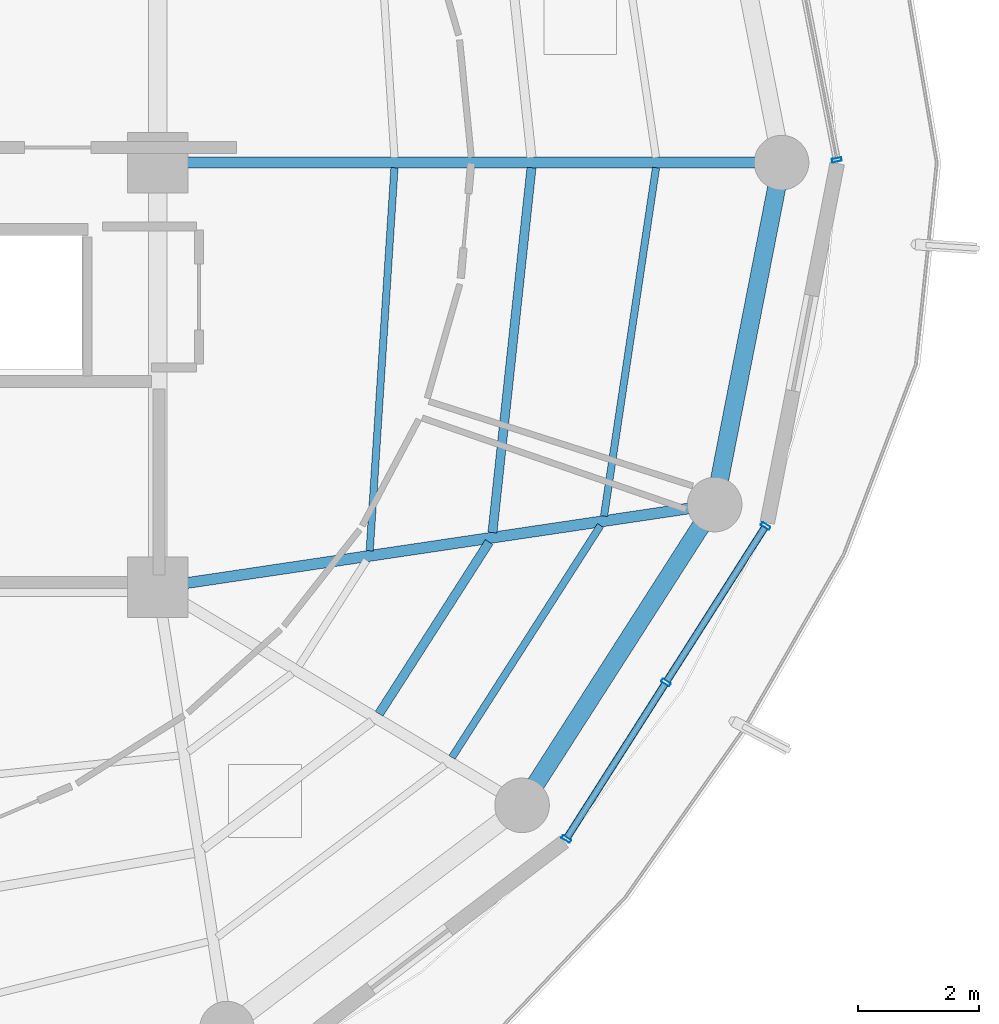
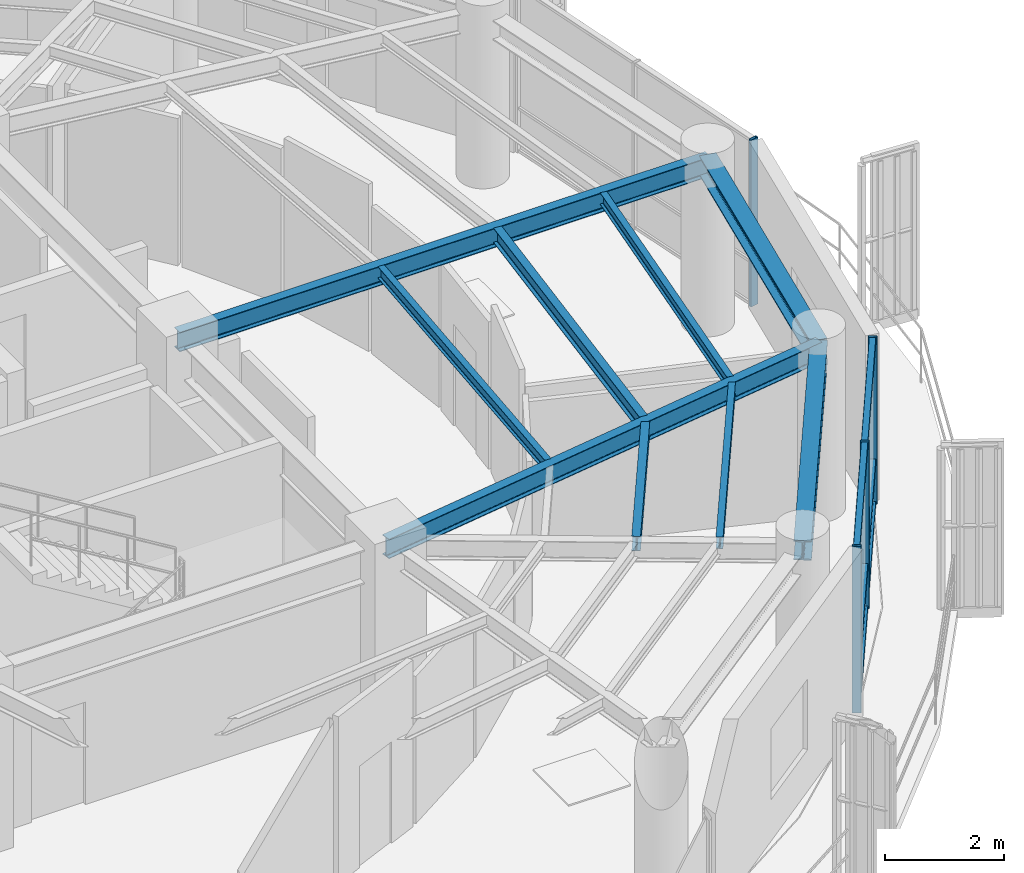
# One storey, part 10 of 23: 10 members, 9 beams, 2 elements without a shape of their own.
"""IFC4 building model written with IfcOpenShell, lengths in metres."""

from ifc_helpers import new_model, si_unit, direction, frame, origin, origin_2d, place, context, subcontext, project, spatial, hollow_rectangle, i_section, extrude, material, layer, layer_set, material_profile, profile_set, type_object, element, aggregate, save


model = new_model("IFC4")

# Units and contexts
model_context = context("Model", 3, precision=1e-05, world=origin(), true_north=direction((0.0, 1.0)))
body_context = subcontext(model_context, "Body", "Model", "MODEL_VIEW")
ifc_project = project(units=[si_unit("LENGTHUNIT", "METRE"), si_unit("AREAUNIT", "SQUARE_METRE"), si_unit("VOLUMEUNIT", "CUBIC_METRE"), si_unit("PLANEANGLEUNIT", "RADIAN"), si_unit("MASSUNIT", "GRAM", prefix="KILO")], contexts=[model_context])

# Site, building, storey
site_placement = place(None, origin())
site = spatial("IfcSite", under=ifc_project, at=site_placement, CompositionType="ELEMENT")
building_placement = place(site_placement, origin())
building = spatial("IfcBuilding", under=site, at=building_placement, Name="Kelanora Arch Commons", CompositionType="ELEMENT")
storey_placement = place(building_placement, frame((0.0, 0.0, 289.949951171875)))
storey = spatial("IfcBuildingStorey", under=building, at=storey_placement, Name="L74", CompositionType="ELEMENT", Elevation=289.949951171875)

# Beams
ifc_material_1 = material(Name="Steel S355", Category="steel")
ifc_material_profile_1 = material_profile(ifc_material_1, i_section(OverallWidth=0.14990234375, OverallDepth=0.300048828125, WebThickness=0.007080078125, FlangeThickness=0.0107421875, FilletRadius=0.014892578125, at=origin_2d()), Name="IPE300")
ifc_profile_set_1 = profile_set([ifc_material_profile_1], Name="Steel S355")
beam_type_1 = type_object("IfcBeamType", Name="BM-JST-01", PredefinedType="JOIST", material=ifc_profile_set_1)
beam_1_placement = place(storey_placement, frame((85.647705078125, 48.915771484375, 3.280029296875), z_axis=(0.539321586177, 0.842099891155, 0.0), x_axis=(-0.842099891155, 0.539321586177, 0.0)))
element("IfcBeam", 1, at=beam_1_placement, inside=storey, type_object=beam_type_1, Name="Secondary Chord Joist BJB-32 L74", PredefinedType="JOIST", context=body_context, shape_type="SweptSolid", body=[
    extrude(i_section(OverallWidth=0.14990234375, OverallDepth=0.300048828125, WebThickness=0.007080078125, FlangeThickness=0.0107421875, FilletRadius=0.014892578125, at=origin_2d()), origin(), (0.0, 0.0, 1.0), 3.361572265625),
])
beam_2_placement = place(storey_placement, frame((87.515625, 51.902587890625, 3.280029296875), z_axis=(0.106380594087, 0.994325484538, 0.0), x_axis=(-0.994325484538, 0.106380594087, 0.0)))
element("IfcBeam", 2, at=beam_2_placement, inside=storey, type_object=beam_type_1, Name="Secondary Chord Joist BJB-34 L74", PredefinedType="JOIST", context=body_context, shape_type="SweptSolid", body=[
    extrude(i_section(OverallWidth=0.14990234375, OverallDepth=0.300048828125, WebThickness=0.007080078125, FlangeThickness=0.0107421875, FilletRadius=0.014892578125, at=origin_2d()), origin(), (0.0, 0.0, 1.0), 6.04736328125),
])
ifc_material_profile_2 = material_profile(ifc_material_1, i_section(OverallWidth=0.1201171875, OverallDepth=0.239990234375, WebThickness=0.006103515625, FlangeThickness=0.009765625, FilletRadius=0.014892578125, at=origin_2d()), Name="IPE240")
ifc_profile_set_2 = profile_set([ifc_material_profile_2], Name="Steel S355")
beam_type_2 = type_object("IfcBeamType", Name="BM-JST-02", PredefinedType="JOIST", material=ifc_profile_set_2)
beam_3_placement = place(storey_placement, frame((86.848388671875, 48.197021484375, 3.31005859375), z_axis=(0.539288735289, 0.842120929552, 0.0), x_axis=(-0.842120929552, 0.539288735289, 0.0)))
element("IfcBeam", 3, at=beam_3_placement, inside=storey, type_object=beam_type_2, Name="Secondary Chord Joist BJC-32 L74", PredefinedType="JOIST", context=body_context, shape_type="SweptSolid", body=[
    extrude(i_section(OverallWidth=0.1201171875, OverallDepth=0.239990234375, WebThickness=0.006103515625, FlangeThickness=0.009765625, FilletRadius=0.014892578125, at=origin_2d()), origin(), (0.0, 0.0, 1.0), 4.538818359375),
])
beam_4_placement = place(storey_placement, frame((85.492919921875, 51.60302734375, 3.31005859375), z_axis=(0.064495107978, 0.99791802321, 0.0), x_axis=(-0.99791802321, 0.064495107978, 0.0)))
element("IfcBeam", 4, at=beam_4_placement, inside=storey, type_object=beam_type_2, Name="Secondary Chord Joist BJA-34 L74", PredefinedType="JOIST", context=body_context, shape_type="SweptSolid", body=[
    extrude(i_section(OverallWidth=0.1201171875, OverallDepth=0.239990234375, WebThickness=0.006103515625, FlangeThickness=0.009765625, FilletRadius=0.014892578125, at=origin_2d()), origin(), (0.0, 0.0, 1.0), 6.325439453125),
])
beam_5_placement = place(storey_placement, frame((89.3544921875, 52.1748046875, 3.31005859375), z_axis=(0.14762470282, 0.989043450571, 0.0), x_axis=(-0.989043450571, 0.14762470282, 0.0)))
element("IfcBeam", 5, at=beam_5_placement, inside=storey, type_object=beam_type_2, Name="Secondary Chord Joist BJC-34 L74", PredefinedType="JOIST", context=body_context, shape_type="SweptSolid", body=[
    extrude(i_section(OverallWidth=0.1201171875, OverallDepth=0.239990234375, WebThickness=0.006103515625, FlangeThickness=0.009765625, FilletRadius=0.014892578125, at=origin_2d()), origin(), (0.0, 0.0, 1.0), 5.804931640625),
])
ifc_material_profile_3 = material_profile(ifc_material_1, i_section(OverallWidth=0.179931640625, OverallDepth=0.39990234375, WebThickness=0.008544921875, FlangeThickness=0.013427734375, FilletRadius=0.02099609375, at=origin_2d()), Name="IPE400")
ifc_profile_set_3 = profile_set([ifc_material_profile_3], Name="Steel S355")
beam_type_3 = type_object("IfcBeamType", Name="BM-RAD-Z5", PredefinedType="BEAM", material=ifc_profile_set_3)
beam_6_placement = place(storey_placement, frame((82.0, 58.0, 3.22998046875), z_axis=(1.0, 0.0, 0.0), x_axis=(0.0, 1.0, 0.0)))
element("IfcBeam", 6, at=beam_6_placement, inside=storey, type_object=beam_type_3, Name="Radial Floor Girder BR-00 L74", PredefinedType="BEAM", context=body_context, shape_type="SweptSolid", body=[
    extrude(i_section(OverallWidth=0.179931640625, OverallDepth=0.39990234375, WebThickness=0.008544921875, FlangeThickness=0.013427734375, FilletRadius=0.02099609375, at=origin_2d()), origin(), (0.0, 0.0, 1.0), 10.280029296875),
])
beam_7_placement = place(storey_placement, frame((82.0, 51.0, 3.22998046875), z_axis=(0.989142485564, 0.146959665395, 0.0), x_axis=(-0.146959665395, 0.989142485564, 0.0)))
element("IfcBeam", 7, at=beam_7_placement, inside=storey, type_object=beam_type_3, Name="Radial Floor Girder BR-34 L74", PredefinedType="BEAM", context=body_context, shape_type="SweptSolid", body=[
    extrude(i_section(OverallWidth=0.179931640625, OverallDepth=0.39990234375, WebThickness=0.008544921875, FlangeThickness=0.013427734375, FilletRadius=0.02099609375, at=origin_2d()), origin(), (0.0, 0.0, 1.0), 9.2783203125),
])
ifc_material_profile_4 = material_profile(ifc_material_1, i_section(OverallWidth=0.300048828125, OverallDepth=0.39990234375, WebThickness=0.013427734375, FlangeThickness=0.02392578125, FilletRadius=0.027099609375, at=origin_2d()), Name="HEB400")
ifc_profile_set_4 = profile_set([ifc_material_profile_4], Name="Steel S355")
beam_type_4 = type_object("IfcBeamType", Name="BM-SPN-Z4", PredefinedType="SPANDREL", material=ifc_profile_set_4)
beam_8_placement = place(storey_placement, frame((88.00341796875, 47.406982421875, 3.22998046875), z_axis=(0.539280851353, 0.842125978322, 0.0), x_axis=(-0.842125978322, 0.539280851353, 0.0)))
element("IfcBeam", 8, at=beam_8_placement, inside=storey, type_object=beam_type_4, Name="Perimeter Spandrel Beam BS-32 L74", PredefinedType="SPANDREL", context=body_context, shape_type="SweptSolid", body=[
    extrude(i_section(OverallWidth=0.300048828125, OverallDepth=0.39990234375, WebThickness=0.013427734375, FlangeThickness=0.02392578125, FilletRadius=0.027099609375, at=origin_2d()), origin(), (0.0, 0.0, 1.0), 5.8857421875),
])
beam_9_placement = place(storey_placement, frame((91.177490234375, 52.363525390625, 3.22998046875), z_axis=(0.191969774604, 0.981400838413, 0.0), x_axis=(-0.981400838413, 0.191969774604, 0.0)))
element("IfcBeam", 9, at=beam_9_placement, inside=storey, type_object=beam_type_4, Name="Perimeter Spandrel Beam BS-34 L74", PredefinedType="SPANDREL", context=body_context, shape_type="SweptSolid", body=[
    extrude(i_section(OverallWidth=0.300048828125, OverallDepth=0.39990234375, WebThickness=0.013427734375, FlangeThickness=0.02392578125, FilletRadius=0.027099609375, at=origin_2d()), origin(), (0.0, 0.0, 1.0), 5.743408203125),
])

# Curtain wall, member
ifc_material_2 = material(Name="Terracotta ceramic-fritted low-E glass and aluminium", Category="masonry")
ifc_layer = layer(ifc_material_2, 0.18994140625)
ifc_layer_set = layer_set([ifc_layer], Name="Terracotta ceramic-fritted low-E glass and aluminium")
curtain_wall_type = type_object("IfcCurtainWallType", Name="CW-SYS-03", PredefinedType="NOTDEFINED", material=ifc_layer_set)
curtain_wall_1_placement = place(storey_placement, origin())
curtain_wall_1 = element("IfcCurtainWall", 10, at=curtain_wall_1_placement, inside=storey, type_object=curtain_wall_type, Name="Unitised Curtain Wall L74-B00", PredefinedType="NOTDEFINED")
ifc_material_3 = material(Name="Powder-coated aluminium terracotta", Category="masonry")
ifc_material_profile_5 = material_profile(ifc_material_3, hollow_rectangle(XDim=0.159912109375, YDim=0.06005859375, WallThickness=0.0048828125, InnerFilletRadius=0.0048828125, OuterFilletRadius=0.010009765625, at=origin_2d()), Name="CWM160x60")
ifc_profile_set_5 = profile_set([ifc_material_profile_5], Name="Powder-coated aluminium terracotta")
member_type_1 = type_object("IfcMemberType", Name="CWM-STD", PredefinedType="MULLION", material=ifc_profile_set_5)
member_1_placement = place(storey_placement, frame((93.19140625, 58.044189453125, 0.0), z_axis=(0.0, 0.0, 1.0), x_axis=(-0.981595542501, -0.190971701941, 0.0)))
member_1 = element("IfcMember", 11, at=member_1_placement, type_object=member_type_1, Name="CW-03 mullion 1", PredefinedType="MULLION", context=body_context, shape_type="SweptSolid", body=[
    extrude(hollow_rectangle(XDim=0.159912109375, YDim=0.06005859375, WallThickness=0.0048828125, InnerFilletRadius=0.0048828125, OuterFilletRadius=0.010009765625, at=origin_2d()), origin(), (0.0, 0.0, 1.0), 3.4150390625),
])
aggregate(curtain_wall_1, [member_1])

# Curtain wall, members
curtain_wall_2_placement = place(storey_placement, origin())
curtain_wall_2 = element("IfcCurtainWall", 12, at=curtain_wall_2_placement, inside=storey, type_object=curtain_wall_type, Name="Unitised Curtain Wall L74-B16", PredefinedType="NOTDEFINED")
member_2_placement = place(storey_placement, frame((88.732421875, 46.853515625, 0.0), z_axis=(0.0, 0.0, 1.0), x_axis=(-0.843391314545, 0.537299814397, 0.0)))
member_2 = element("IfcMember", 13, at=member_2_placement, type_object=member_type_1, Name="CW-03 mullion 1", PredefinedType="MULLION", context=body_context, shape_type="SweptSolid", body=[
    extrude(hollow_rectangle(XDim=0.159912109375, YDim=0.06005859375, WallThickness=0.0048828125, InnerFilletRadius=0.0048828125, OuterFilletRadius=0.010009765625, at=origin_2d()), origin(), (0.0, 0.0, 1.0), 3.4150390625),
])
member_3_placement = place(storey_placement, frame((90.375, 49.43212890625, 0.0), z_axis=(0.0, 0.0, 1.0), x_axis=(-0.843391314545, 0.537299814397, 0.0)))
member_3 = element("IfcMember", 14, at=member_3_placement, type_object=member_type_1, Name="CW-03 mullion 2", PredefinedType="MULLION", context=body_context, shape_type="SweptSolid", body=[
    extrude(hollow_rectangle(XDim=0.159912109375, YDim=0.06005859375, WallThickness=0.0048828125, InnerFilletRadius=0.0048828125, OuterFilletRadius=0.010009765625, at=origin_2d()), origin(), (0.0, 0.0, 1.0), 3.4150390625),
])
member_4_placement = place(storey_placement, frame((92.017822265625, 52.0107421875, 0.0), z_axis=(0.0, 0.0, 1.0), x_axis=(-0.843391314545, 0.537299814397, 0.0)))
member_4 = element("IfcMember", 15, at=member_4_placement, type_object=member_type_1, Name="CW-03 mullion 3", PredefinedType="MULLION", context=body_context, shape_type="SweptSolid", body=[
    extrude(hollow_rectangle(XDim=0.159912109375, YDim=0.06005859375, WallThickness=0.0048828125, InnerFilletRadius=0.0048828125, OuterFilletRadius=0.010009765625, at=origin_2d()), origin(), (0.0, 0.0, 1.0), 3.4150390625),
])
ifc_material_profile_6 = material_profile(ifc_material_3, hollow_rectangle(XDim=0.1201171875, YDim=0.06005859375, WallThickness=0.0048828125, InnerFilletRadius=0.0048828125, OuterFilletRadius=0.010009765625, at=origin_2d()), Name="CWT120x60")
ifc_profile_set_6 = profile_set([ifc_material_profile_6], Name="Powder-coated aluminium terracotta")
member_type_2 = type_object("IfcMemberType", Name="CWT-STD", PredefinedType="USERDEFINED", material=ifc_profile_set_6)
member_5_placement = place(storey_placement, frame((88.74853515625, 46.87890625, 0.030029296875), z_axis=(0.537286543791, 0.84339976871, 0.0), x_axis=(-0.84339976871, 0.537286543791, 0.0)))
member_5 = element("IfcMember", 16, at=member_5_placement, type_object=member_type_2, Name="CW-03 transom 1.1", ObjectType="TRANSOM", PredefinedType="USERDEFINED", context=body_context, shape_type="SweptSolid", body=[
    extrude(hollow_rectangle(XDim=0.1201171875, YDim=0.06005859375, WallThickness=0.0048828125, InnerFilletRadius=0.0048828125, OuterFilletRadius=0.010009765625, at=origin_2d()), origin(), (0.0, 0.0, 1.0), 2.997314453125),
])
member_6_placement = place(storey_placement, frame((88.74853515625, 46.87890625, 0.900146484375), z_axis=(0.537286543791, 0.84339976871, 0.0), x_axis=(-0.84339976871, 0.537286543791, 0.0)))
member_6 = element("IfcMember", 17, at=member_6_placement, type_object=member_type_2, Name="CW-03 transom 1.2", ObjectType="TRANSOM", PredefinedType="USERDEFINED", context=body_context, shape_type="SweptSolid", body=[
    extrude(hollow_rectangle(XDim=0.1201171875, YDim=0.06005859375, WallThickness=0.0048828125, InnerFilletRadius=0.0048828125, OuterFilletRadius=0.010009765625, at=origin_2d()), origin(), (0.0, 0.0, 1.0), 2.997314453125),
])
member_7_placement = place(storey_placement, frame((88.74853515625, 46.87890625, 3.385009765625), z_axis=(0.537286543791, 0.84339976871, 0.0), x_axis=(-0.84339976871, 0.537286543791, 0.0)))
member_7 = element("IfcMember", 18, at=member_7_placement, type_object=member_type_2, Name="CW-03 transom 1.3", ObjectType="TRANSOM", PredefinedType="USERDEFINED", context=body_context, shape_type="SweptSolid", body=[
    extrude(hollow_rectangle(XDim=0.1201171875, YDim=0.06005859375, WallThickness=0.0048828125, InnerFilletRadius=0.0048828125, OuterFilletRadius=0.010009765625, at=origin_2d()), origin(), (0.0, 0.0, 1.0), 2.997314453125),
])
member_8_placement = place(storey_placement, frame((90.39111328125, 49.45751953125, 0.030029296875), z_axis=(0.537307571338, 0.843386372775, 0.0), x_axis=(-0.843386372775, 0.537307571338, 0.0)))
member_8 = element("IfcMember", 19, at=member_8_placement, type_object=member_type_2, Name="CW-03 transom 2.1", ObjectType="TRANSOM", PredefinedType="USERDEFINED", context=body_context, shape_type="SweptSolid", body=[
    extrude(hollow_rectangle(XDim=0.1201171875, YDim=0.06005859375, WallThickness=0.0048828125, InnerFilletRadius=0.0048828125, OuterFilletRadius=0.010009765625, at=origin_2d()), origin(), (0.0, 0.0, 1.0), 2.99755859375),
])
member_9_placement = place(storey_placement, frame((90.39111328125, 49.45751953125, 0.900146484375), z_axis=(0.537307571338, 0.843386372775, 0.0), x_axis=(-0.843386372775, 0.537307571338, 0.0)))
member_9 = element("IfcMember", 20, at=member_9_placement, type_object=member_type_2, Name="CW-03 transom 2.2", ObjectType="TRANSOM", PredefinedType="USERDEFINED", context=body_context, shape_type="SweptSolid", body=[
    extrude(hollow_rectangle(XDim=0.1201171875, YDim=0.06005859375, WallThickness=0.0048828125, InnerFilletRadius=0.0048828125, OuterFilletRadius=0.010009765625, at=origin_2d()), origin(), (0.0, 0.0, 1.0), 2.99755859375),
])
member_10_placement = place(storey_placement, frame((90.39111328125, 49.45751953125, 3.385009765625), z_axis=(0.537307571338, 0.843386372775, 0.0), x_axis=(-0.843386372775, 0.537307571338, 0.0)))
member_10 = element("IfcMember", 21, at=member_10_placement, type_object=member_type_2, Name="CW-03 transom 2.3", ObjectType="TRANSOM", PredefinedType="USERDEFINED", context=body_context, shape_type="SweptSolid", body=[
    extrude(hollow_rectangle(XDim=0.1201171875, YDim=0.06005859375, WallThickness=0.0048828125, InnerFilletRadius=0.0048828125, OuterFilletRadius=0.010009765625, at=origin_2d()), origin(), (0.0, 0.0, 1.0), 2.99755859375),
])
aggregate(curtain_wall_2, [member_2, member_3, member_4, member_5, member_6, member_7, member_8, member_9, member_10])

save(model, "model.ifc")
